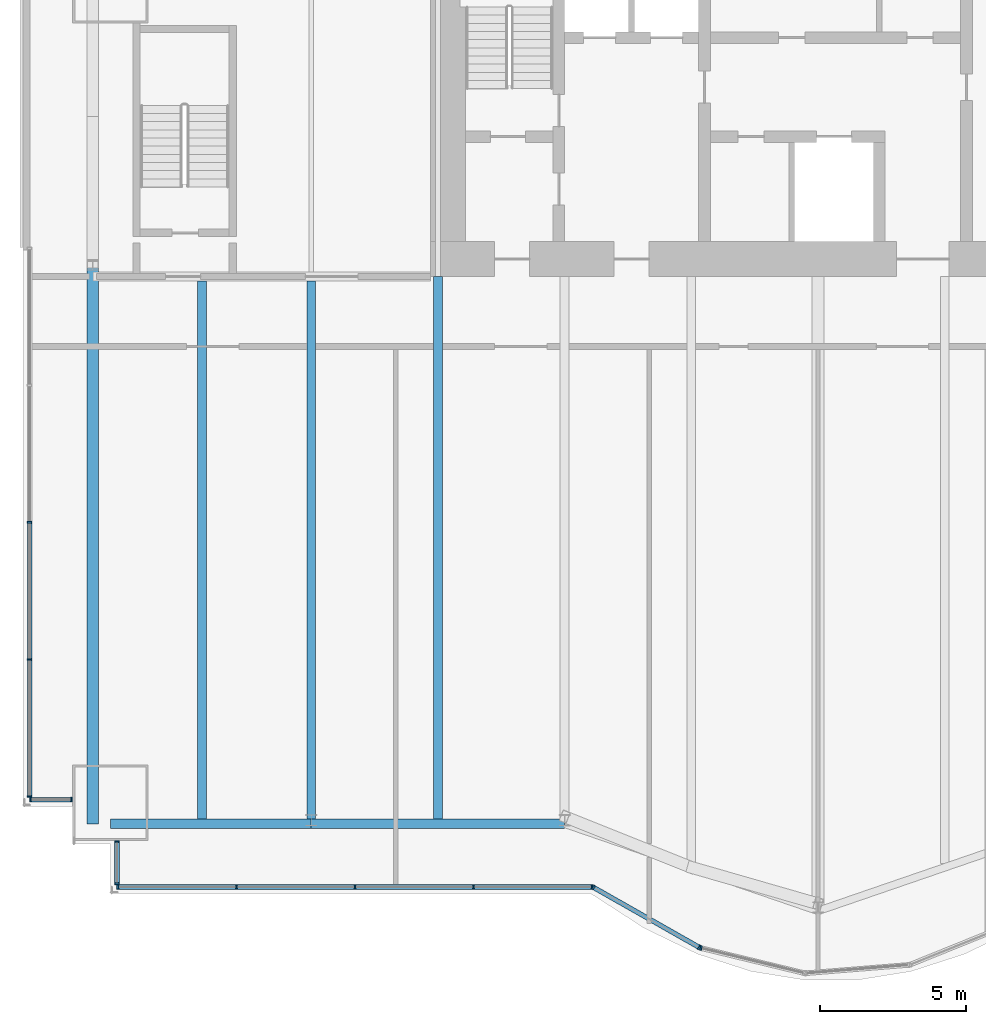
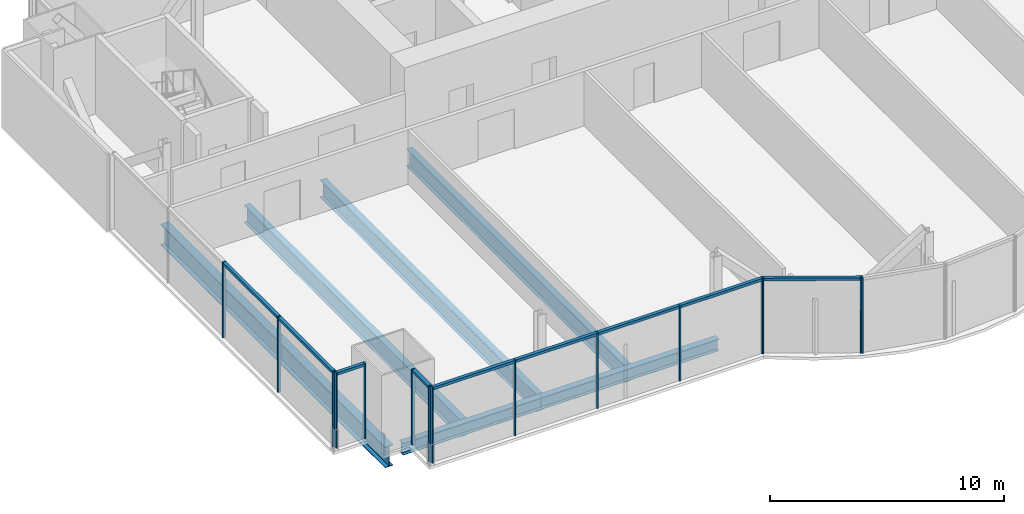
# One storey, part 5 of 21: 24 members, 6 beams, 5 elements without a shape of their own.
"""IFC4 building model written with IfcOpenShell, lengths in metres."""

from ifc_helpers import new_model, si_unit, direction, frame, origin, origin_2d, place, context, subcontext, project, spatial, rectangle, i_section, extrude, material, material_profile, profile_set, type_object, element, aggregate, save


model = new_model("IFC4")

# Units and contexts
model_context = context("Model", 3, precision=1e-05, world=origin(), true_north=direction((0.0, 1.0)))
body_context = subcontext(model_context, "Body", "Model", "MODEL_VIEW")
ifc_project = project(units=[si_unit("LENGTHUNIT", "METRE"), si_unit("AREAUNIT", "SQUARE_METRE"), si_unit("VOLUMEUNIT", "CUBIC_METRE"), si_unit("PLANEANGLEUNIT", "RADIAN"), si_unit("MASSUNIT", "GRAM", prefix="KILO")], contexts=[model_context])

# Site, building, storey
site_placement = place(None, origin())
site = spatial("IfcSite", under=ifc_project, at=site_placement, CompositionType="ELEMENT")
building_placement = place(site_placement, origin())
building = spatial("IfcBuilding", under=site, at=building_placement, Name="Bicima Exchange Tower", CompositionType="ELEMENT")
storey_placement = place(building_placement, frame((0.0, 0.0, 173.199951171875)))
storey = spatial("IfcBuildingStorey", under=building, at=storey_placement, Name="L38", CompositionType="ELEMENT", Elevation=173.199951171875)

# Curtain wall, members
ifc_material_1 = material(Name="Anodised bronze aluminium", Category="aluminium")
curtain_wall_type_1 = type_object("IfcCurtainWallType", Name="End face glass wall", PredefinedType="NOTDEFINED", material=ifc_material_1)
curtain_wall_1_placement = place(storey_placement, origin())
curtain_wall_1 = element("IfcCurtainWall", 1, at=curtain_wall_1_placement, inside=storey, type_object=curtain_wall_type_1, Name="End face glass wall L38 run 2", PredefinedType="NOTDEFINED")
ifc_material_profile_1 = material_profile(ifc_material_1, rectangle(XDim=0.159912109375, YDim=0.06005859375, at=origin_2d()))
ifc_profile_set_1 = profile_set([ifc_material_profile_1], Name="Anodised bronze aluminium")
member_type_1 = type_object("IfcMemberType", Name="End face glass wall mullion 60 x 160", PredefinedType="MULLION", material=ifc_profile_set_1)
member_1_placement = place(storey_placement, frame((-35.77001953125, -21.44091796875, 0.0), z_axis=(0.0, 0.0, 1.0), x_axis=(1.0, 0.0, 0.0)))
member_1 = element("IfcMember", 2, at=member_1_placement, type_object=member_type_1, Name="End face glass wall mullion 3", PredefinedType="MULLION", context=body_context, shape_type="SweptSolid", body=[
    extrude(rectangle(XDim=0.159912109375, YDim=0.06005859375, at=origin_2d()), origin(), (0.0, 0.0, 1.0), 3.949951171875),
])
member_2_placement = place(storey_placement, frame((-35.77001953125, -26.146484375, 0.0), z_axis=(0.0, 0.0, 1.0), x_axis=(1.0, 0.0, 0.0)))
member_2 = element("IfcMember", 3, at=member_2_placement, type_object=member_type_1, Name="End face glass wall mullion 4", PredefinedType="MULLION", context=body_context, shape_type="SweptSolid", body=[
    extrude(rectangle(XDim=0.159912109375, YDim=0.06005859375, at=origin_2d()), origin(), (0.0, 0.0, 1.0), 3.949951171875),
])
member_3_placement = place(storey_placement, frame((-35.77001953125, -30.85205078125, 0.0), z_axis=(0.0, 0.0, 1.0), x_axis=(1.0, 0.0, 0.0)))
member_3 = element("IfcMember", 4, at=member_3_placement, type_object=member_type_1, Name="End face glass wall mullion 5", PredefinedType="MULLION", context=body_context, shape_type="SweptSolid", body=[
    extrude(rectangle(XDim=0.159912109375, YDim=0.06005859375, at=origin_2d()), origin(), (0.0, 0.0, 1.0), 3.949951171875),
])
ifc_material_profile_2 = material_profile(ifc_material_1, rectangle(XDim=0.159912109375, YDim=0.139892578125, at=origin_2d()))
ifc_profile_set_2 = profile_set([ifc_material_profile_2], Name="Anodised bronze aluminium")
member_type_2 = type_object("IfcMemberType", Name="End face glass wall transom 140 x 160", PredefinedType="USERDEFINED", material=ifc_profile_set_2)
member_4_placement = place(storey_placement, frame((-35.77001953125, -21.470947265625, 3.880126953125), z_axis=(0.0, -1.0, 0.0), x_axis=(1.0, 0.0, 0.0)))
member_4 = element("IfcMember", 5, at=member_4_placement, type_object=member_type_2, Name="End face glass wall transom 3.1", ObjectType="TRANSOM", PredefinedType="USERDEFINED", context=body_context, shape_type="SweptSolid", body=[
    extrude(rectangle(XDim=0.159912109375, YDim=0.139892578125, at=origin_2d()), origin(), (0.0, 0.0, 1.0), 4.6455078125),
])
member_5_placement = place(storey_placement, frame((-35.77001953125, -26.176513671875, 3.880126953125), z_axis=(0.0, -1.0, 0.0), x_axis=(1.0, 0.0, 0.0)))
member_5 = element("IfcMember", 6, at=member_5_placement, type_object=member_type_2, Name="End face glass wall transom 4.1", ObjectType="TRANSOM", PredefinedType="USERDEFINED", context=body_context, shape_type="SweptSolid", body=[
    extrude(rectangle(XDim=0.159912109375, YDim=0.139892578125, at=origin_2d()), origin(), (0.0, 0.0, 1.0), 4.6455078125),
])
aggregate(curtain_wall_1, [member_1, member_2, member_3, member_4, member_5])

# Beams
ifc_material_2 = material(Name="Steel ASTM A992 Gr 50", Category="steel")
ifc_material_profile_3 = material_profile(ifc_material_2, i_section(OverallWidth=0.4013671875, OverallDepth=1.089599609375, WebThickness=0.01806640625, FlangeThickness=0.031005859375, at=origin_2d()))
ifc_profile_set_3 = profile_set([ifc_material_profile_3], Name="Steel ASTM A992 Gr 50")
beam_type_1 = type_object("IfcBeamType", Name="End girder W44x230", PredefinedType="BEAM", material=ifc_profile_set_3)
beam_1_placement = place(storey_placement, frame((-33.60009765625, -12.60009765625, -0.69482421875), z_axis=(0.0, -1.0, 0.0), x_axis=(1.0, 0.0, 0.0)))
element("IfcBeam", 7, at=beam_1_placement, inside=storey, type_object=beam_type_1, Name="End girder", PredefinedType="BEAM", context=body_context, shape_type="SweptSolid", body=[
    extrude(i_section(OverallWidth=0.4013671875, OverallDepth=1.089599609375, WebThickness=0.01806640625, FlangeThickness=0.031005859375, at=origin_2d()), origin(), (0.0, 0.0, 1.0), 19.19189453125),
])
ifc_material_profile_4 = material_profile(ifc_material_2, i_section(OverallWidth=0.3046875, OverallDepth=0.904296875, WebThickness=0.01513671875, FlangeThickness=0.02001953125, at=origin_2d()))
ifc_profile_set_4 = profile_set([ifc_material_profile_4], Name="Steel ASTM A992 Gr 50")
beam_type_2 = type_object("IfcBeamType", Name="Floor beam W36x135", PredefinedType="JOIST", material=ifc_profile_set_4)
for number, where, z_axis, x_axis, name in (
    (8, (-29.85009765625, -13.15234375, -0.60205078125), (0.0, -1.0, 0.0), (1.0, 0.0, 0.0), "Floor beam"),
    (9, (-26.10009765625, -13.15234375, -0.60205078125), (0.0, -1.0, 0.0), (1.0, 0.0, 0.0), "Floor beam"),
):
    element("IfcBeam", number, at=place(storey_placement, frame(where, z_axis=z_axis, x_axis=x_axis)), inside=storey, type_object=beam_type_2, Name=name, PredefinedType="JOIST", context=body_context, shape_type="SweptSolid", body=[
        extrude(i_section(OverallWidth=0.3046875, OverallDepth=0.904296875, WebThickness=0.01513671875, FlangeThickness=0.02001953125, at=origin_2d()), origin(), (0.0, 0.0, 1.0), 18.47705078125),
    ])
beam_2_placement = place(storey_placement, frame((-21.75, -13.0, -0.60205078125), z_axis=(0.0, -1.0, 0.0), x_axis=(1.0, 0.0, 0.0)))
element("IfcBeam", 10, at=beam_2_placement, inside=storey, type_object=beam_type_2, Name="Floor beam", PredefinedType="JOIST", context=body_context, shape_type="SweptSolid", body=[
    extrude(i_section(OverallWidth=0.3046875, OverallDepth=0.904296875, WebThickness=0.01513671875, FlangeThickness=0.02001953125, at=origin_2d()), origin(), (0.0, 0.0, 1.0), 18.62939453125),
])
ifc_material_profile_5 = material_profile(ifc_material_2, i_section(OverallWidth=0.3251953125, OverallDepth=0.612060546875, WebThickness=0.0126953125, FlangeThickness=0.01904296875, at=origin_2d()))
ifc_profile_set_5 = profile_set([ifc_material_profile_5], Name="Steel ASTM A992 Gr 50")
beam_type_3 = type_object("IfcBeamType", Name="Front girder W24x104", PredefinedType="BEAM", material=ifc_profile_set_5)
beam_3_placement = place(storey_placement, frame((-33.0, -31.7919921875, -0.4560546875), z_axis=(1.0, 0.0, 0.0), x_axis=(0.0, 1.0, 0.0)))
element("IfcBeam", 11, at=beam_3_placement, inside=storey, type_object=beam_type_3, Name="Front girder", PredefinedType="BEAM", context=body_context, shape_type="SweptSolid", body=[
    extrude(i_section(OverallWidth=0.3251953125, OverallDepth=0.612060546875, WebThickness=0.0126953125, FlangeThickness=0.01904296875, at=origin_2d()), origin(), (0.0, 0.0, 1.0), 6.89990234375),
])
beam_4_placement = place(storey_placement, frame((-26.10009765625, -31.7919921875, -0.4560546875), z_axis=(1.0, 0.0, 0.0), x_axis=(0.0, 1.0, 0.0)))
element("IfcBeam", 12, at=beam_4_placement, inside=storey, type_object=beam_type_3, Name="Front girder", PredefinedType="BEAM", context=body_context, shape_type="SweptSolid", body=[
    extrude(i_section(OverallWidth=0.3251953125, OverallDepth=0.612060546875, WebThickness=0.0126953125, FlangeThickness=0.01904296875, at=origin_2d()), origin(), (0.0, 0.0, 1.0), 8.7001953125),
])

# Curtain wall, members
curtain_wall_type_2 = type_object("IfcCurtainWallType", Name="Front glass wall", PredefinedType="NOTDEFINED", material=ifc_material_1)
curtain_wall_2_placement = place(storey_placement, origin())
curtain_wall_2 = element("IfcCurtainWall", 13, at=curtain_wall_2_placement, inside=storey, type_object=curtain_wall_type_2, Name="Front glass wall L38 run 3", PredefinedType="NOTDEFINED")
member_type_3 = type_object("IfcMemberType", Name="Front glass wall mullion 60 x 160", PredefinedType="MULLION", material=ifc_profile_set_1)
member_6_placement = place(storey_placement, frame((-35.739990234375, -30.9619140625, 0.0), z_axis=(0.0, 0.0, 1.0), x_axis=(0.0, 1.0, 0.0)))
member_6 = element("IfcMember", 14, at=member_6_placement, type_object=member_type_3, Name="Front glass wall mullion 1", PredefinedType="MULLION", context=body_context, shape_type="SweptSolid", body=[
    extrude(rectangle(XDim=0.159912109375, YDim=0.06005859375, at=origin_2d()), origin(), (0.0, 0.0, 1.0), 3.949951171875),
])
member_7_placement = place(storey_placement, frame((-34.330078125, -30.9619140625, 0.0), z_axis=(0.0, 0.0, 1.0), x_axis=(0.0, 1.0, 0.0)))
member_7 = element("IfcMember", 15, at=member_7_placement, type_object=member_type_3, Name="Front glass wall mullion 2", PredefinedType="MULLION", context=body_context, shape_type="SweptSolid", body=[
    extrude(rectangle(XDim=0.159912109375, YDim=0.06005859375, at=origin_2d()), origin(), (0.0, 0.0, 1.0), 3.949951171875),
])

curtain_wall_3_placement = place(storey_placement, origin())
curtain_wall_3 = element("IfcCurtainWall", 16, at=curtain_wall_3_placement, inside=storey, type_object=curtain_wall_type_2, Name="Front glass wall L38 run 4", PredefinedType="NOTDEFINED")
member_8_placement = place(storey_placement, frame((-32.77001953125, -32.39990234375, 0.0), z_axis=(0.0, 0.0, 1.0), x_axis=(1.0, 0.0, 0.0)))
member_8 = element("IfcMember", 17, at=member_8_placement, type_object=member_type_3, Name="Front glass wall mullion 1", PredefinedType="MULLION", context=body_context, shape_type="SweptSolid", body=[
    extrude(rectangle(XDim=0.159912109375, YDim=0.06005859375, at=origin_2d()), origin(), (0.0, 0.0, 1.0), 3.949951171875),
])
member_9_placement = place(storey_placement, frame((-32.77001953125, -33.85205078125, 0.0), z_axis=(0.0, 0.0, 1.0), x_axis=(1.0, 0.0, 0.0)))
member_9 = element("IfcMember", 18, at=member_9_placement, type_object=member_type_3, Name="Front glass wall mullion 2", PredefinedType="MULLION", context=body_context, shape_type="SweptSolid", body=[
    extrude(rectangle(XDim=0.159912109375, YDim=0.06005859375, at=origin_2d()), origin(), (0.0, 0.0, 1.0), 3.949951171875),
])

curtain_wall_4_placement = place(storey_placement, origin())
curtain_wall_4 = element("IfcCurtainWall", 19, at=curtain_wall_4_placement, inside=storey, type_object=curtain_wall_type_2, Name="Front glass wall L38 run 5", PredefinedType="NOTDEFINED")
member_10_placement = place(storey_placement, frame((-32.739990234375, -33.9619140625, 0.0), z_axis=(0.0, 0.0, 1.0), x_axis=(0.0, 1.0, 0.0)))
member_10 = element("IfcMember", 20, at=member_10_placement, type_object=member_type_3, Name="Front glass wall mullion 1", PredefinedType="MULLION", context=body_context, shape_type="SweptSolid", body=[
    extrude(rectangle(XDim=0.159912109375, YDim=0.06005859375, at=origin_2d()), origin(), (0.0, 0.0, 1.0), 3.949951171875),
])
member_11_placement = place(storey_placement, frame((-28.67041015625, -33.9619140625, 0.0), z_axis=(0.0, 0.0, 1.0), x_axis=(0.0, 1.0, 0.0)))
member_11 = element("IfcMember", 21, at=member_11_placement, type_object=member_type_3, Name="Front glass wall mullion 2", PredefinedType="MULLION", context=body_context, shape_type="SweptSolid", body=[
    extrude(rectangle(XDim=0.159912109375, YDim=0.06005859375, at=origin_2d()), origin(), (0.0, 0.0, 1.0), 3.949951171875),
])
member_12_placement = place(storey_placement, frame((-24.60107421875, -33.9619140625, 0.0), z_axis=(0.0, 0.0, 1.0), x_axis=(0.0, 1.0, 0.0)))
member_12 = element("IfcMember", 22, at=member_12_placement, type_object=member_type_3, Name="Front glass wall mullion 3", PredefinedType="MULLION", context=body_context, shape_type="SweptSolid", body=[
    extrude(rectangle(XDim=0.159912109375, YDim=0.06005859375, at=origin_2d()), origin(), (0.0, 0.0, 1.0), 3.949951171875),
])
member_13_placement = place(storey_placement, frame((-20.531494140625, -33.9619140625, 0.0), z_axis=(0.0, 0.0, 1.0), x_axis=(0.0, 1.0, 0.0)))
member_13 = element("IfcMember", 23, at=member_13_placement, type_object=member_type_3, Name="Front glass wall mullion 4", PredefinedType="MULLION", context=body_context, shape_type="SweptSolid", body=[
    extrude(rectangle(XDim=0.159912109375, YDim=0.06005859375, at=origin_2d()), origin(), (0.0, 0.0, 1.0), 3.949951171875),
])
member_14_placement = place(storey_placement, frame((-16.462158203125, -33.9619140625, 0.0), z_axis=(0.0, 0.0, 1.0), x_axis=(0.0, 1.0, 0.0)))
member_14 = element("IfcMember", 24, at=member_14_placement, type_object=member_type_3, Name="Front glass wall mullion 5", PredefinedType="MULLION", context=body_context, shape_type="SweptSolid", body=[
    extrude(rectangle(XDim=0.159912109375, YDim=0.06005859375, at=origin_2d()), origin(), (0.0, 0.0, 1.0), 3.949951171875),
])

curtain_wall_5_placement = place(storey_placement, origin())
curtain_wall_5 = element("IfcCurtainWall", 25, at=curtain_wall_5_placement, inside=storey, type_object=curtain_wall_type_2, Name="Front glass wall L38 run 6", PredefinedType="NOTDEFINED")
member_15_placement = place(storey_placement, frame((-16.406005859375, -33.976806640625, 0.0), z_axis=(0.0, 0.0, 1.0), x_axis=(0.493395449343, 0.869805110681, 0.0)))
member_15 = element("IfcMember", 26, at=member_15_placement, type_object=member_type_3, Name="Front glass wall mullion 1", PredefinedType="MULLION", context=body_context, shape_type="SweptSolid", body=[
    extrude(rectangle(XDim=0.159912109375, YDim=0.06005859375, at=origin_2d()), origin(), (0.0, 0.0, 1.0), 3.949951171875),
])
member_16_placement = place(storey_placement, frame((-12.7734375, -36.037353515625, 0.0), z_axis=(0.0, 0.0, 1.0), x_axis=(0.493395449343, 0.869805110681, 0.0)))
member_16 = element("IfcMember", 27, at=member_16_placement, type_object=member_type_3, Name="Front glass wall mullion 2", PredefinedType="MULLION", context=body_context, shape_type="SweptSolid", body=[
    extrude(rectangle(XDim=0.159912109375, YDim=0.06005859375, at=origin_2d()), origin(), (0.0, 0.0, 1.0), 3.949951171875),
])
member_17_placement = place(storey_placement, frame((-12.718017578125, -36.059326171875, 0.0), z_axis=(0.0, 0.0, 1.0), x_axis=(0.235681529503, 0.971830343553, 0.0)))
member_17 = element("IfcMember", 28, at=member_17_placement, type_object=member_type_3, Name="Front glass wall mullion 1", PredefinedType="MULLION", context=body_context, shape_type="SweptSolid", body=[
    extrude(rectangle(XDim=0.159912109375, YDim=0.06005859375, at=origin_2d()), origin(), (0.0, 0.0, 1.0), 3.949951171875),
])

# Member
member_type_4 = type_object("IfcMemberType", Name="Front glass wall transom 140 x 160", PredefinedType="USERDEFINED", material=ifc_profile_set_2)
member_18_placement = place(storey_placement, frame((-35.7099609375, -30.9619140625, 3.880126953125), z_axis=(1.0, 0.0, 0.0), x_axis=(0.0, 1.0, 0.0)))
member_18 = element("IfcMember", 29, at=member_18_placement, type_object=member_type_4, Name="Front glass wall transom 1.1", ObjectType="TRANSOM", PredefinedType="USERDEFINED", context=body_context, shape_type="SweptSolid", body=[
    extrude(rectangle(XDim=0.159912109375, YDim=0.139892578125, at=origin_2d()), origin(), (0.0, 0.0, 1.0), 1.349853515625),
])

aggregate(curtain_wall_2, [member_6, member_7, member_18])

member_19_placement = place(storey_placement, frame((-32.77001953125, -32.429931640625, 3.880126953125), z_axis=(0.0, -1.0, 0.0), x_axis=(1.0, 0.0, 0.0)))
member_19 = element("IfcMember", 30, at=member_19_placement, type_object=member_type_4, Name="Front glass wall transom 1.1", ObjectType="TRANSOM", PredefinedType="USERDEFINED", context=body_context, shape_type="SweptSolid", body=[
    extrude(rectangle(XDim=0.159912109375, YDim=0.139892578125, at=origin_2d()), origin(), (0.0, 0.0, 1.0), 1.39208984375),
])

aggregate(curtain_wall_3, [member_8, member_9, member_19])

member_20_placement = place(storey_placement, frame((-32.7099609375, -33.9619140625, 3.880126953125), z_axis=(1.0, 0.0, 0.0), x_axis=(0.0, 1.0, 0.0)))
member_20 = element("IfcMember", 31, at=member_20_placement, type_object=member_type_4, Name="Front glass wall transom 1.1", ObjectType="TRANSOM", PredefinedType="USERDEFINED", context=body_context, shape_type="SweptSolid", body=[
    extrude(rectangle(XDim=0.159912109375, YDim=0.139892578125, at=origin_2d()), origin(), (0.0, 0.0, 1.0), 4.009521484375),
])

member_21_placement = place(storey_placement, frame((-28.640380859375, -33.9619140625, 3.880126953125), z_axis=(1.0, 0.0, 0.0), x_axis=(0.0, 1.0, 0.0)))
member_21 = element("IfcMember", 32, at=member_21_placement, type_object=member_type_4, Name="Front glass wall transom 2.1", ObjectType="TRANSOM", PredefinedType="USERDEFINED", context=body_context, shape_type="SweptSolid", body=[
    extrude(rectangle(XDim=0.159912109375, YDim=0.139892578125, at=origin_2d()), origin(), (0.0, 0.0, 1.0), 4.00927734375),
])

member_22_placement = place(storey_placement, frame((-24.571044921875, -33.9619140625, 3.880126953125), z_axis=(1.0, 0.0, 0.0), x_axis=(0.0, 1.0, 0.0)))
member_22 = element("IfcMember", 33, at=member_22_placement, type_object=member_type_4, Name="Front glass wall transom 3.1", ObjectType="TRANSOM", PredefinedType="USERDEFINED", context=body_context, shape_type="SweptSolid", body=[
    extrude(rectangle(XDim=0.159912109375, YDim=0.139892578125, at=origin_2d()), origin(), (0.0, 0.0, 1.0), 4.009521484375),
])

member_23_placement = place(storey_placement, frame((-20.501708984375, -33.9619140625, 3.880126953125), z_axis=(1.0, 0.0, 0.0), x_axis=(0.0, 1.0, 0.0)))
member_23 = element("IfcMember", 34, at=member_23_placement, type_object=member_type_4, Name="Front glass wall transom 4.1", ObjectType="TRANSOM", PredefinedType="USERDEFINED", context=body_context, shape_type="SweptSolid", body=[
    extrude(rectangle(XDim=0.159912109375, YDim=0.139892578125, at=origin_2d()), origin(), (0.0, 0.0, 1.0), 4.009521484375),
])

aggregate(curtain_wall_4, [member_10, member_11, member_12, member_13, member_14, member_20, member_21, member_22, member_23])

member_24_placement = place(storey_placement, frame((-16.3798828125, -33.99169921875, 3.880126953125), z_axis=(0.869797371721, -0.49340909208, 0.0), x_axis=(0.49340909208, 0.869797371721, 0.0)))
member_24 = element("IfcMember", 35, at=member_24_placement, type_object=member_type_4, Name="Front glass wall transom 1.1", ObjectType="TRANSOM", PredefinedType="USERDEFINED", context=body_context, shape_type="SweptSolid", body=[
    extrude(rectangle(XDim=0.159912109375, YDim=0.139892578125, at=origin_2d()), origin(), (0.0, 0.0, 1.0), 4.1162109375),
])

aggregate(curtain_wall_5, [member_15, member_16, member_24, member_17])

save(model, "model.ifc")
